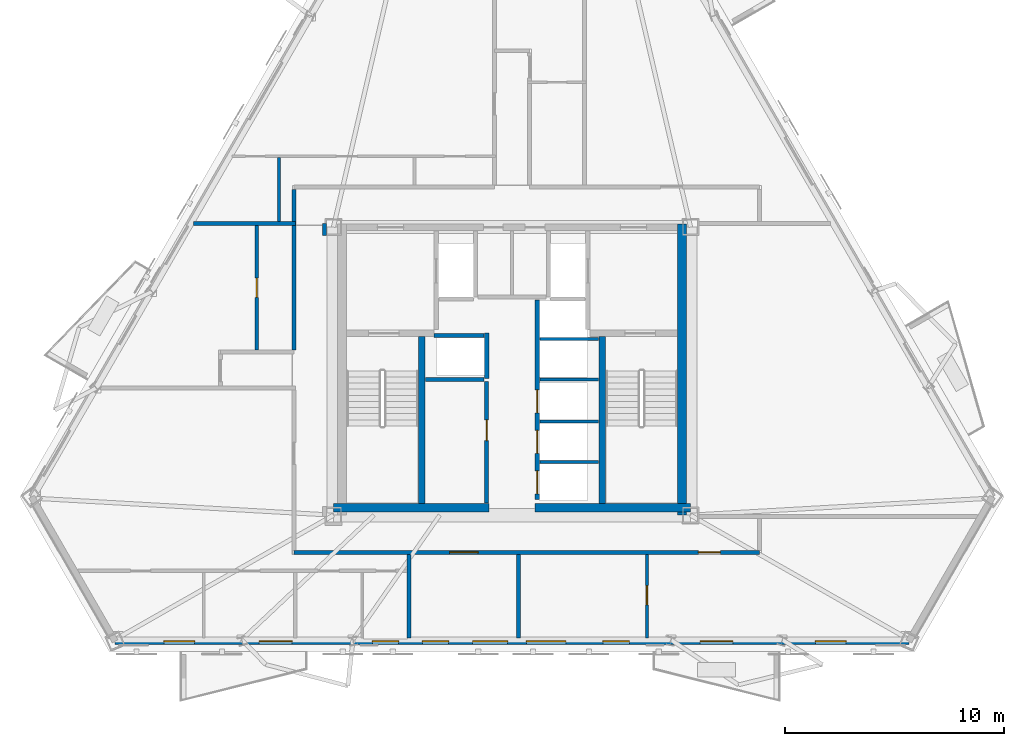
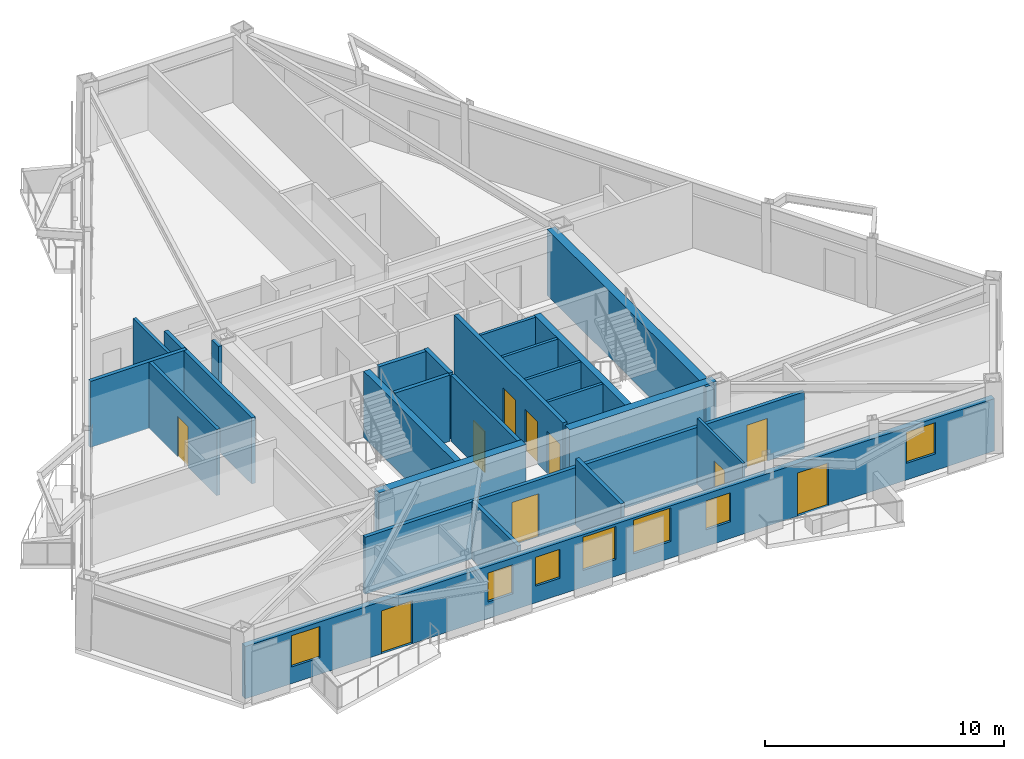
# One storey, part 3 of 8: 24 walls, 10 doors, 7 windows, 17 openings.
"""IFC4 building model written with IfcOpenShell, lengths in metres."""

from ifc_helpers import new_model, si_unit, direction, frame, frame_2d, origin, place, context, subcontext, project, spatial, rectangle, extrude, material, layer, layer_set, type_object, element, fill, save


model = new_model("IFC4")

# Units and contexts
model_context = context("Model", 3, precision=1e-05, world=origin(), true_north=direction((0.0, 1.0)))
body_context = subcontext(model_context, "Body", "Model", "MODEL_VIEW")
ifc_project = project(units=[si_unit("LENGTHUNIT", "METRE"), si_unit("AREAUNIT", "SQUARE_METRE"), si_unit("VOLUMEUNIT", "CUBIC_METRE"), si_unit("PLANEANGLEUNIT", "RADIAN"), si_unit("MASSUNIT", "GRAM", prefix="KILO")], contexts=[model_context])

# Site, building, storey
site_placement = place(None, origin())
site = spatial("IfcSite", under=ifc_project, at=site_placement, CompositionType="ELEMENT")
building_placement = place(site_placement, origin())
building = spatial("IfcBuilding", under=site, at=building_placement, Name="Oramaril Tower", CompositionType="ELEMENT")
storey_placement = place(building_placement, frame((0.0, 0.0, 193.800048828125)))
storey = spatial("IfcBuildingStorey", under=building, at=storey_placement, Name="L51", CompositionType="ELEMENT", Elevation=193.800048828125)

# Wall, openings, doors, windows
ifc_material_1 = material(Name="Warm Cream Limestone", Category="masonry")
ifc_layer_1 = layer(ifc_material_1, 0.2900390625)
ifc_layer_set_1 = layer_set([ifc_layer_1], Name="WT-EXT29")
wall_type_1 = type_object("IfcWallType", Name="WT-EXT29", PredefinedType="SOLIDWALL", material=ifc_layer_set_1)
wall_1_placement = place(storey_placement, frame((19.3828125, 5.24169921875, 0.0), z_axis=(0.0, 0.0, 1.0), x_axis=(1.0, 0.0, 0.0)))
wall_1 = element("IfcWall", 1, at=wall_1_placement, inside=storey, type_object=wall_type_1, Name="L51 Tower Limestone Facade Wall 2M", PredefinedType="SOLIDWALL", context=body_context, shape_type="SweptSolid", body=[
    extrude(rectangle(XDim=36.234375, YDim=0.2900390625, at=frame_2d((18.1171875, 0.0))), origin(), (0.0, 0.0, 1.0), 2.677001953125),
])
opening_1_placement = place(wall_1_placement, frame((6.579345703125, 0.0, 0.0)))
opening_1 = element("IfcOpeningElement", 2, at=opening_1_placement, cuts=wall_1, Name="Opening D-L51-BAL-S1", PredefinedType="OPENING", context=body_context, shape_type="SweptSolid", body=[
    extrude(rectangle(XDim=1.5, YDim=2.199951171875, at=frame_2d((0.75, 1.10009765625))), frame((0.0, 0.14501953125, 0.0), z_axis=(0.0, -1.0, 0.0), x_axis=(1.0, 0.0, 0.0)), (0.0, 0.0, 1.0), 0.2900390625),
])
opening_2_placement = place(wall_1_placement, frame((26.7001953125, 0.0, 0.0)))
opening_2 = element("IfcOpeningElement", 3, at=opening_2_placement, cuts=wall_1, Name="Opening D-L51-BAL-S2", PredefinedType="OPENING", context=body_context, shape_type="SweptSolid", body=[
    extrude(rectangle(XDim=1.5, YDim=2.199951171875, at=frame_2d((0.75, 1.10009765625))), frame((0.0, 0.14501953125, 0.0), z_axis=(0.0, -1.0, 0.0), x_axis=(1.0, 0.0, 0.0)), (0.0, 0.0, 1.0), 0.2900390625),
])
opening_3_placement = place(wall_1_placement, frame((14.02685546875, 0.0, 0.85009765625)))
opening_3 = element("IfcOpeningElement", 4, at=opening_3_placement, cuts=wall_1, Name="Opening WN-09", PredefinedType="OPENING", context=body_context, shape_type="SweptSolid", body=[
    extrude(rectangle(XDim=1.199951171875, YDim=1.47998046875, at=frame_2d((0.60009765625, 0.739990234375))), frame((0.0, 0.14501953125, 0.0), z_axis=(0.0, -1.0, 0.0), x_axis=(1.0, 0.0, 0.0)), (0.0, 0.0, 1.0), 0.2900390625),
])
opening_4_placement = place(wall_1_placement, frame((16.322509765625, 0.0, 0.85009765625)))
opening_4 = element("IfcOpeningElement", 5, at=opening_4_placement, cuts=wall_1, Name="Opening WN-07", PredefinedType="OPENING", context=body_context, shape_type="SweptSolid", body=[
    extrude(rectangle(XDim=1.60009765625, YDim=1.699951171875, at=frame_2d((0.800048828125, 0.85009765625))), frame((0.0, 0.14501953125, 0.0), z_axis=(0.0, -1.0, 0.0), x_axis=(1.0, 0.0, 0.0)), (0.0, 0.0, 1.0), 0.2900390625),
])
opening_5_placement = place(wall_1_placement, frame((31.970458984375, 0.0, 0.85009765625)))
opening_5 = element("IfcOpeningElement", 6, at=opening_5_placement, cuts=wall_1, Name="Opening WN-08", PredefinedType="OPENING", context=body_context, shape_type="SweptSolid", body=[
    extrude(rectangle(XDim=1.39990234375, YDim=1.60009765625, at=frame_2d((0.699951171875, 0.800048828125))), frame((0.0, 0.14501953125, 0.0), z_axis=(0.0, -1.0, 0.0), x_axis=(1.0, 0.0, 0.0)), (0.0, 0.0, 1.0), 0.2900390625),
])
opening_6_placement = place(wall_1_placement, frame((18.77783203125, 0.0, 0.85009765625)))
opening_6 = element("IfcOpeningElement", 7, at=opening_6_placement, cuts=wall_1, Name="Opening WN-06", PredefinedType="OPENING", context=body_context, shape_type="SweptSolid", body=[
    extrude(rectangle(XDim=1.800048828125, YDim=1.717041015625, at=frame_2d((0.89990234375, 0.8583984375))), frame((0.0, 0.14501953125, 0.0), z_axis=(0.0, -1.0, 0.0), x_axis=(1.0, 0.0, 0.0)), (0.0, 0.0, 1.0), 0.2900390625),
])
opening_7_placement = place(wall_1_placement, frame((22.269775390625, 0.0, 0.85009765625)))
opening_7 = element("IfcOpeningElement", 8, at=opening_7_placement, cuts=wall_1, Name="Opening WN-09", PredefinedType="OPENING", context=body_context, shape_type="SweptSolid", body=[
    extrude(rectangle(XDim=1.199951171875, YDim=1.47998046875, at=frame_2d((0.60009765625, 0.739990234375))), frame((0.0, 0.14501953125, 0.0), z_axis=(0.0, -1.0, 0.0), x_axis=(1.0, 0.0, 0.0)), (0.0, 0.0, 1.0), 0.2900390625),
])
opening_8_placement = place(wall_1_placement, frame((2.225341796875, 0.0, 0.85009765625)))
opening_8 = element("IfcOpeningElement", 9, at=opening_8_placement, cuts=wall_1, Name="Opening WN-08", PredefinedType="OPENING", context=body_context, shape_type="SweptSolid", body=[
    extrude(rectangle(XDim=1.39990234375, YDim=1.60009765625, at=frame_2d((0.699951171875, 0.800048828125))), frame((0.0, 0.14501953125, 0.0), z_axis=(0.0, -1.0, 0.0), x_axis=(1.0, 0.0, 0.0)), (0.0, 0.0, 1.0), 0.2900390625),
])
opening_9_placement = place(wall_1_placement, frame((11.744873046875, 0.0, 0.85009765625)))
opening_9 = element("IfcOpeningElement", 10, at=opening_9_placement, cuts=wall_1, Name="Opening WN-09", PredefinedType="OPENING", context=body_context, shape_type="SweptSolid", body=[
    extrude(rectangle(XDim=1.199951171875, YDim=1.47998046875, at=frame_2d((0.60009765625, 0.739990234375))), frame((0.0, 0.14501953125, 0.0), z_axis=(0.0, -1.0, 0.0), x_axis=(1.0, 0.0, 0.0)), (0.0, 0.0, 1.0), 0.2900390625),
])
ifc_material_2 = material(Name="Anodised Aluminium 6063-T6", Category="aluminium")
door_type_1 = type_object("IfcDoorType", Name="DT-BAL", OperationType="NOTDEFINED", PredefinedType="DOOR", material=ifc_material_2)
door_1_placement = place(opening_1_placement, origin())
door_1 = element("IfcDoor", 11, at=door_1_placement, inside=storey, type_object=door_type_1, Name="L51 Balcony Glazed Door L51-BAL-S1", OperationType="SINGLE_SWING_RIGHT", OverallHeight=2.199951171875, OverallWidth=1.5, PredefinedType="DOOR", context=body_context, shape_type="SweptSolid", body=[
    extrude(rectangle(XDim=1.5, YDim=2.199951171875, at=frame_2d((0.75, 1.10009765625))), frame((0.0, 0.02490234375, 0.0), z_axis=(0.0, -1.0, 0.0), x_axis=(1.0, 0.0, 0.0)), (0.0, 0.0, 1.0), 0.050048828125),
])
fill(opening_1, door_1)
door_2_placement = place(opening_2_placement, origin())
door_2 = element("IfcDoor", 12, at=door_2_placement, inside=storey, type_object=door_type_1, Name="L51 Balcony Glazed Door L51-BAL-S2", OperationType="SINGLE_SWING_LEFT", OverallHeight=2.199951171875, OverallWidth=1.5, PredefinedType="DOOR", context=body_context, shape_type="SweptSolid", body=[
    extrude(rectangle(XDim=1.5, YDim=2.199951171875, at=frame_2d((0.75, 1.10009765625))), frame((0.0, 0.02490234375, 0.0), z_axis=(0.0, -1.0, 0.0), x_axis=(1.0, 0.0, 0.0)), (0.0, 0.0, 1.0), 0.050048828125),
])
fill(opening_2, door_2)
ifc_material_3 = material(Name="Coastal Low-E Insulated Glass", Category="glass")
window_type_1 = type_object("IfcWindowType", Name="WNT-06", PartitioningType="SINGLE_PANEL", PredefinedType="WINDOW", material=ifc_material_3)
window_1_placement = place(opening_6_placement, origin())
window_1 = element("IfcWindow", 13, at=window_1_placement, inside=storey, type_object=window_type_1, Name="L51 Chicago Bay Window WN-06", OverallHeight=1.717041015625, OverallWidth=1.800048828125, PartitioningType="SINGLE_PANEL", PredefinedType="WINDOW", context=body_context, shape_type="SweptSolid", body=[
    extrude(rectangle(XDim=1.800048828125, YDim=1.717041015625, at=frame_2d((0.89990234375, 0.8583984375))), frame((0.0, 0.030029296875, 0.0), z_axis=(0.0, -1.0, 0.0), x_axis=(1.0, 0.0, 0.0)), (0.0, 0.0, 1.0), 0.06005859375),
])
fill(opening_6, window_1)
ifc_material_4 = material(Name="Coastal Low-E Insulated Glass", Category="glass")
window_type_2 = type_object("IfcWindowType", Name="WNT-07", PartitioningType="SINGLE_PANEL", PredefinedType="WINDOW", material=ifc_material_4)
window_2_placement = place(opening_4_placement, origin())
window_2 = element("IfcWindow", 14, at=window_2_placement, inside=storey, type_object=window_type_2, Name="L51 Chicago Bay Window WN-07", OverallHeight=1.699951171875, OverallWidth=1.60009765625, PartitioningType="SINGLE_PANEL", PredefinedType="WINDOW", context=body_context, shape_type="SweptSolid", body=[
    extrude(rectangle(XDim=1.60009765625, YDim=1.699951171875, at=frame_2d((0.800048828125, 0.85009765625))), frame((0.0, 0.030029296875, 0.0), z_axis=(0.0, -1.0, 0.0), x_axis=(1.0, 0.0, 0.0)), (0.0, 0.0, 1.0), 0.06005859375),
])
fill(opening_4, window_2)
ifc_material_5 = material(Name="Coastal Low-E Insulated Glass", Category="glass")
window_type_3 = type_object("IfcWindowType", Name="WNT-08", PartitioningType="SINGLE_PANEL", PredefinedType="WINDOW", material=ifc_material_5)
window_3_placement = place(opening_5_placement, origin())
window_3 = element("IfcWindow", 15, at=window_3_placement, inside=storey, type_object=window_type_3, Name="L51 Chicago Bay Window WN-08", OverallHeight=1.60009765625, OverallWidth=1.39990234375, PartitioningType="SINGLE_PANEL", PredefinedType="WINDOW", context=body_context, shape_type="SweptSolid", body=[
    extrude(rectangle(XDim=1.39990234375, YDim=1.60009765625, at=frame_2d((0.699951171875, 0.800048828125))), frame((0.0, 0.030029296875, 0.0), z_axis=(0.0, -1.0, 0.0), x_axis=(1.0, 0.0, 0.0)), (0.0, 0.0, 1.0), 0.06005859375),
])
fill(opening_5, window_3)
window_4_placement = place(opening_8_placement, origin())
window_4 = element("IfcWindow", 16, at=window_4_placement, inside=storey, type_object=window_type_3, Name="L51 Chicago Bay Window WN-08", OverallHeight=1.60009765625, OverallWidth=1.39990234375, PartitioningType="SINGLE_PANEL", PredefinedType="WINDOW", context=body_context, shape_type="SweptSolid", body=[
    extrude(rectangle(XDim=1.39990234375, YDim=1.60009765625, at=frame_2d((0.699951171875, 0.800048828125))), frame((0.0, 0.030029296875, 0.0), z_axis=(0.0, -1.0, 0.0), x_axis=(1.0, 0.0, 0.0)), (0.0, 0.0, 1.0), 0.06005859375),
])
fill(opening_8, window_4)
ifc_material_6 = material(Name="Coastal Low-E Insulated Glass", Category="glass")
window_type_4 = type_object("IfcWindowType", Name="WNT-09", PartitioningType="SINGLE_PANEL", PredefinedType="WINDOW", material=ifc_material_6)
window_5_placement = place(opening_3_placement, origin())
window_5 = element("IfcWindow", 17, at=window_5_placement, inside=storey, type_object=window_type_4, Name="L51 Chicago Bay Window WN-09", OverallHeight=1.47998046875, OverallWidth=1.199951171875, PartitioningType="SINGLE_PANEL", PredefinedType="WINDOW", context=body_context, shape_type="SweptSolid", body=[
    extrude(rectangle(XDim=1.199951171875, YDim=1.47998046875, at=frame_2d((0.60009765625, 0.739990234375))), frame((0.0, 0.030029296875, 0.0), z_axis=(0.0, -1.0, 0.0), x_axis=(1.0, 0.0, 0.0)), (0.0, 0.0, 1.0), 0.06005859375),
])
fill(opening_3, window_5)
window_6_placement = place(opening_7_placement, origin())
window_6 = element("IfcWindow", 18, at=window_6_placement, inside=storey, type_object=window_type_4, Name="L51 Chicago Bay Window WN-09", OverallHeight=1.47998046875, OverallWidth=1.199951171875, PartitioningType="SINGLE_PANEL", PredefinedType="WINDOW", context=body_context, shape_type="SweptSolid", body=[
    extrude(rectangle(XDim=1.199951171875, YDim=1.47998046875, at=frame_2d((0.60009765625, 0.739990234375))), frame((0.0, 0.030029296875, 0.0), z_axis=(0.0, -1.0, 0.0), x_axis=(1.0, 0.0, 0.0)), (0.0, 0.0, 1.0), 0.06005859375),
])
fill(opening_7, window_6)
window_7_placement = place(opening_9_placement, origin())
window_7 = element("IfcWindow", 19, at=window_7_placement, inside=storey, type_object=window_type_4, Name="L51 Chicago Bay Window WN-09", OverallHeight=1.47998046875, OverallWidth=1.199951171875, PartitioningType="SINGLE_PANEL", PredefinedType="WINDOW", context=body_context, shape_type="SweptSolid", body=[
    extrude(rectangle(XDim=1.199951171875, YDim=1.47998046875, at=frame_2d((0.60009765625, 0.739990234375))), frame((0.0, 0.030029296875, 0.0), z_axis=(0.0, -1.0, 0.0), x_axis=(1.0, 0.0, 0.0)), (0.0, 0.0, 1.0), 0.06005859375),
])
fill(opening_9, window_7)

# Wall, opening, door
ifc_material_7 = material(Name="Acoustic Gypsum Board Partition")
ifc_layer_2 = layer(ifc_material_7, 0.1201171875)
ifc_layer_set_2 = layer_set([ifc_layer_2], Name="WT-PT12")
wall_type_2 = type_object("IfcWallType", Name="WT-PT12", PredefinedType="PARTITIONING", material=ifc_layer_set_2)
wall_2_placement = place(storey_placement, frame((43.659912109375, 5.390625, 0.0), z_axis=(0.0, 0.0, 1.0), x_axis=(0.0, 1.0, 0.0)))
wall_2 = element("IfcWall", 20, at=wall_2_placement, inside=storey, type_object=wall_type_2, Name="L51 Interior Partition PT-12", PredefinedType="PARTITIONING", context=body_context, shape_type="SweptSolid", body=[
    extrude(rectangle(XDim=3.8154296875, YDim=0.1201171875, at=frame_2d((1.90771484375, 0.0))), origin(), (0.0, 0.0, 1.0), 3.3798828125),
])
opening_10_placement = place(wall_2_placement, frame((1.51513671875, 0.0, 0.0)))
opening_10 = element("IfcOpeningElement", 21, at=opening_10_placement, cuts=wall_2, Name="Opening D-L51-18", PredefinedType="OPENING", context=body_context, shape_type="SweptSolid", body=[
    extrude(rectangle(XDim=0.8798828125, YDim=2.080078125, at=frame_2d((0.43994140625, 1.0400390625))), frame((0.0, 0.06005859375, 0.0), z_axis=(0.0, -1.0, 0.0), x_axis=(1.0, 0.0, 0.0)), (0.0, 0.0, 1.0), 0.1201171875),
])
ifc_material_8 = material(Name="FSC Brazilian Freijo Hardwood", Category="wood")
door_type_2 = type_object("IfcDoorType", Name="DT-BATH", OperationType="NOTDEFINED", PredefinedType="DOOR", material=ifc_material_8)
door_3_placement = place(opening_10_placement, origin())
door_3 = element("IfcDoor", 22, at=door_3_placement, inside=storey, type_object=door_type_2, Name="L51 Flat L51-U1 Bathroom Door D-L51-18", OperationType="SINGLE_SWING_RIGHT", OverallHeight=2.080078125, OverallWidth=0.8798828125, PredefinedType="DOOR", context=body_context, shape_type="SweptSolid", body=[
    extrude(rectangle(XDim=0.8798828125, YDim=2.080078125, at=frame_2d((0.43994140625, 1.0400390625))), frame((0.0, 0.02490234375, 0.0), z_axis=(0.0, -1.0, 0.0), x_axis=(1.0, 0.0, 0.0)), (0.0, 0.0, 1.0), 0.050048828125),
])
fill(opening_10, door_3)

# Walls
ifc_material_9 = material(Name="Acoustic Gypsum Board Partition")
ifc_layer_3 = layer(ifc_material_9, 0.139892578125)
ifc_layer_set_3 = layer_set([ifc_layer_3], Name="WT-PT14")
wall_type_3 = type_object("IfcWallType", Name="WT-PT14", PredefinedType="PARTITIONING", material=ifc_layer_set_3)
for number, where, z_axis, x_axis, name in (
    (23, (38.780029296875, 13.419921875, 0.0), (0.0, 0.0, 1.0), (1.0, 0.0, 0.0), "L51 East Lift Divider"),
    (24, (38.780029296875, 15.27001953125, 0.0), (0.0, 0.0, 1.0), (1.0, 0.0, 0.0), "L51 East Lift Divider"),
    (25, (38.780029296875, 17.199951171875, 0.0), (0.0, 0.0, 1.0), (1.0, 0.0, 0.0), "L51 East Lift Divider"),
    (26, (38.780029296875, 19.050048828125, 0.0), (0.0, 0.0, 1.0), (1.0, 0.0, 0.0), "L51 East Lift Divider"),
):
    element("IfcWall", number, at=place(storey_placement, frame(where, z_axis=z_axis, x_axis=x_axis)), inside=storey, type_object=wall_type_3, Name=name, PredefinedType="PARTITIONING", context=body_context, shape_type="SweptSolid", body=[
        extrude(rectangle(XDim=2.659912109375, YDim=0.139892578125, at=frame_2d((1.330078125, 0.0))), origin(), (0.0, 0.0, 1.0), 3.3798828125),
    ])
wall_3_placement = place(storey_placement, frame((26.8701171875, 24.4140625, 0.0), z_axis=(0.0, 0.0, 1.0), x_axis=(0.0, 1.0, 0.0)))
element("IfcWall", 27, at=wall_3_placement, inside=storey, type_object=wall_type_3, Name="L51 Interior Partition PT-14", PredefinedType="PARTITIONING", context=body_context, shape_type="SweptSolid", body=[
    extrude(rectangle(XDim=2.911865234375, YDim=0.139892578125, at=frame_2d((1.4560546875, 0.0))), origin(), (0.0, 0.0, 1.0), 3.3798828125),
])

# Wall, opening, door
ifc_material_10 = material(Name="Acoustic Gypsum Board Partition")
ifc_layer_4 = layer(ifc_material_10, 0.159912109375)
ifc_layer_set_4 = layer_set([ifc_layer_4], Name="WT-PT16")
wall_type_4 = type_object("IfcWallType", Name="WT-PT16", PredefinedType="PARTITIONING", material=ifc_layer_set_4)
wall_4_placement = place(storey_placement, frame((25.85009765625, 18.5439453125, 0.0), z_axis=(0.0, 0.0, 1.0), x_axis=(0.0, 1.0, 0.0)))
wall_4 = element("IfcWall", 28, at=wall_4_placement, inside=storey, type_object=wall_type_4, Name="L51 Interior Partition PT-16", PredefinedType="PARTITIONING", context=body_context, shape_type="SweptSolid", body=[
    extrude(rectangle(XDim=5.68212890625, YDim=0.159912109375, at=frame_2d((2.841064453125, 0.0))), origin(), (0.0, 0.0, 1.0), 3.3798828125),
])
opening_11_placement = place(wall_4_placement, frame((2.40087890625, 0.0, 0.0)))
opening_11 = element("IfcOpeningElement", 29, at=opening_11_placement, cuts=wall_4, Name="Opening D-L51-14", PredefinedType="OPENING", context=body_context, shape_type="SweptSolid", body=[
    extrude(rectangle(XDim=0.8798828125, YDim=2.080078125, at=frame_2d((0.43994140625, 1.0400390625))), frame((0.0, 0.080078125, 0.0), z_axis=(0.0, -1.0, 0.0), x_axis=(1.0, 0.0, 0.0)), (0.0, 0.0, 1.0), 0.159912109375),
])
door_4_placement = place(opening_11_placement, origin())
door_4 = element("IfcDoor", 30, at=door_4_placement, inside=storey, type_object=door_type_2, Name="L51 Flat L51-U3 Bathroom Door D-L51-14", OperationType="SINGLE_SWING_RIGHT", OverallHeight=2.080078125, OverallWidth=0.8798828125, PredefinedType="DOOR", context=body_context, shape_type="SweptSolid", body=[
    extrude(rectangle(XDim=0.8798828125, YDim=2.080078125, at=frame_2d((0.43994140625, 1.0400390625))), frame((0.0, 0.02490234375, 0.0), z_axis=(0.0, -1.0, 0.0), x_axis=(1.0, 0.0, 0.0)), (0.0, 0.0, 1.0), 0.050048828125),
])
fill(opening_11, door_4)

# Walls
ifc_material_11 = material(Name="Autoclaved Cellular Concrete Block", Category="concrete")
ifc_layer_5 = layer(ifc_material_11, 0.179931640625)
ifc_layer_set_5 = layer_set([ifc_layer_5], Name="WT-PT18")
wall_type_5 = type_object("IfcWallType", Name="WT-PT18", PredefinedType="PARTITIONING", material=ifc_layer_set_5)
wall_5_placement = place(storey_placement, frame((33.949951171875, 19.199951171875, 0.0), z_axis=(0.0, 0.0, 1.0), x_axis=(1.0, 0.0, 0.0)))
element("IfcWall", 31, at=wall_5_placement, inside=storey, type_object=wall_type_5, Name="L51 High-Rise Lift H1 North Shaft Wall", PredefinedType="PARTITIONING", context=body_context, shape_type="SweptSolid", body=[
    extrude(rectangle(XDim=2.27001953125, YDim=0.179931640625, at=frame_2d((1.135009765625, 0.0))), origin(), (0.0, 0.0, 1.0), 3.3798828125),
])
wall_6_placement = place(storey_placement, frame((33.56005859375, 17.199951171875, 0.0), z_axis=(0.0, 0.0, 1.0), x_axis=(1.0, 0.0, 0.0)))
element("IfcWall", 32, at=wall_6_placement, inside=storey, type_object=wall_type_5, Name="L51 High-Rise Lift H1 South Wall", PredefinedType="PARTITIONING", context=body_context, shape_type="SweptSolid", body=[
    extrude(rectangle(XDim=2.659912109375, YDim=0.179931640625, at=frame_2d((1.330078125, 0.0))), origin(), (0.0, 0.0, 1.0), 3.3798828125),
])

# Wall, opening, door
wall_7_placement = place(storey_placement, frame((36.340087890625, 11.550048828125, 0.0), z_axis=(0.0, 0.0, 1.0), x_axis=(0.0, 1.0, 0.0)))
wall_7 = element("IfcWall", 33, at=wall_7_placement, inside=storey, type_object=wall_type_5, Name="L51 Freed Shaft Study East Wall", PredefinedType="PARTITIONING", context=body_context, shape_type="SweptSolid", body=[
    extrude(rectangle(XDim=5.550048828125, YDim=0.179931640625, at=frame_2d((2.77490234375, 0.0))), origin(), (0.0, 0.0, 1.0), 3.3798828125),
])
opening_12_placement = place(wall_7_placement, frame((2.85009765625, 0.0, 0.0)))
opening_12 = element("IfcOpeningElement", 34, at=opening_12_placement, cuts=wall_7, Name="Opening D-L51-FL1", PredefinedType="OPENING", context=body_context, shape_type="SweptSolid", body=[
    extrude(rectangle(XDim=0.949951171875, YDim=2.10009765625, at=frame_2d((0.47509765625, 1.050048828125))), frame((0.0, 0.08984375, 0.0), z_axis=(0.0, -1.0, 0.0), x_axis=(1.0, 0.0, 0.0)), (0.0, 0.0, 1.0), 0.179931640625),
])
ifc_material_12 = material(Name="FSC Brazilian Freijo Hardwood", Category="wood")
door_type_3 = type_object("IfcDoorType", Name="DT-STDY", OperationType="NOTDEFINED", PredefinedType="DOOR", material=ifc_material_12)
door_5_placement = place(opening_12_placement, origin())
door_5 = element("IfcDoor", 35, at=door_5_placement, inside=storey, type_object=door_type_3, Name="L51 L51 Residents Study Alcove Door", OperationType="SINGLE_SWING_LEFT", OverallHeight=2.10009765625, OverallWidth=0.949951171875, PredefinedType="DOOR", context=body_context, shape_type="SweptSolid", body=[
    extrude(rectangle(XDim=0.949951171875, YDim=2.10009765625, at=frame_2d((0.47509765625, 1.050048828125))), frame((0.0, 0.02490234375, 0.0), z_axis=(0.0, -1.0, 0.0), x_axis=(1.0, 0.0, 0.0)), (0.0, 0.0, 1.0), 0.050048828125),
])
fill(opening_12, door_5)

# Wall, openings, doors
wall_8_placement = place(storey_placement, frame((27.550048828125, 9.300048828125, 0.0), z_axis=(0.0, 0.0, 1.0), x_axis=(1.0, 0.0, 0.0)))
wall_8 = element("IfcWall", 36, at=wall_8_placement, inside=storey, type_object=wall_type_5, Name="L51 Interior Partition PT-18", PredefinedType="PARTITIONING", context=body_context, shape_type="SweptSolid", body=[
    extrude(rectangle(XDim=21.25, YDim=0.179931640625, at=frame_2d((10.625, 0.0))), origin(), (0.0, 0.0, 1.0), 2.912841796875),
])
opening_13_placement = place(wall_8_placement, frame((7.10009765625, 0.0, 0.0)))
opening_13 = element("IfcOpeningElement", 37, at=opening_13_placement, cuts=wall_8, Name="Opening D-L51-05", PredefinedType="OPENING", context=body_context, shape_type="SweptSolid", body=[
    extrude(rectangle(XDim=1.300048828125, YDim=2.199951171875, at=frame_2d((0.64990234375, 1.10009765625))), frame((0.0, 0.08984375, 0.0), z_axis=(0.0, -1.0, 0.0), x_axis=(1.0, 0.0, 0.0)), (0.0, 0.0, 1.0), 0.179931640625),
])
opening_14_placement = place(wall_8_placement, frame((18.46044921875, 0.0, 0.0)))
opening_14 = element("IfcOpeningElement", 38, at=opening_14_placement, cuts=wall_8, Name="Opening D-L51-06", PredefinedType="OPENING", context=body_context, shape_type="SweptSolid", body=[
    extrude(rectangle(XDim=1.0, YDim=2.179931640625, at=frame_2d((0.5, 1.08984375))), frame((0.0, 0.08984375, 0.0), z_axis=(0.0, -1.0, 0.0), x_axis=(1.0, 0.0, 0.0)), (0.0, 0.0, 1.0), 0.179931640625),
])
ifc_material_13 = material(Name="FSC Brazilian Freijo Hardwood", Category="wood")
door_type_4 = type_object("IfcDoorType", Name="DT-APT", OperationType="NOTDEFINED", PredefinedType="DOOR", material=ifc_material_13)
door_6_placement = place(opening_14_placement, origin())
door_6 = element("IfcDoor", 39, at=door_6_placement, inside=storey, type_object=door_type_4, Name="L51 Flat L51-U1 Kitchen and Studio Apartment Door D-L51-06", OperationType="SINGLE_SWING_RIGHT", OverallHeight=2.179931640625, OverallWidth=1.0, PredefinedType="DOOR", context=body_context, shape_type="SweptSolid", body=[
    extrude(rectangle(XDim=1.0, YDim=2.179931640625, at=frame_2d((0.5, 1.08984375))), frame((0.0, 0.02490234375, 0.0), z_axis=(0.0, -1.0, 0.0), x_axis=(1.0, 0.0, 0.0)), (0.0, 0.0, 1.0), 0.050048828125),
])
fill(opening_14, door_6)
ifc_material_14 = material(Name="FSC Brazilian Freijo Hardwood", Category="wood")
door_type_5 = type_object("IfcDoorType", Name="DT-COM", OperationType="NOTDEFINED", PredefinedType="DOOR", material=ifc_material_14)
door_7_placement = place(opening_13_placement, origin())
door_7 = element("IfcDoor", 40, at=door_7_placement, inside=storey, type_object=door_type_5, Name="L51 L51 Residents Floor Meeting Suite Door D-L51-05", OperationType="SINGLE_SWING_LEFT", OverallHeight=2.199951171875, OverallWidth=1.300048828125, PredefinedType="DOOR", context=body_context, shape_type="SweptSolid", body=[
    extrude(rectangle(XDim=1.300048828125, YDim=2.199951171875, at=frame_2d((0.64990234375, 1.10009765625))), frame((0.0, 0.02490234375, 0.0), z_axis=(0.0, -1.0, 0.0), x_axis=(1.0, 0.0, 0.0)), (0.0, 0.0, 1.0), 0.050048828125),
])
fill(opening_13, door_7)

# Walls
wall_9_placement = place(storey_placement, frame((22.95166015625, 24.320068359375, 0.0), z_axis=(0.0, 0.0, 1.0), x_axis=(1.0, 0.0, 0.0)))
element("IfcWall", 41, at=wall_9_placement, inside=storey, type_object=wall_type_5, Name="L51 Interior Partition PT-18", PredefinedType="PARTITIONING", context=body_context, shape_type="SweptSolid", body=[
    extrude(rectangle(XDim=4.658447265625, YDim=0.179931640625, at=frame_2d((2.3291015625, 0.0))), origin(), (0.0, 0.0, 1.0), 3.3798828125),
])
wall_10_placement = place(storey_placement, frame((27.550048828125, 18.5439453125, 0.0), z_axis=(0.0, 0.0, 1.0), x_axis=(0.0, 1.0, 0.0)))
element("IfcWall", 42, at=wall_10_placement, inside=storey, type_object=wall_type_5, Name="L51 Interior Partition PT-18", PredefinedType="PARTITIONING", context=body_context, shape_type="SweptSolid", body=[
    extrude(rectangle(XDim=7.33203125, YDim=0.179931640625, at=frame_2d((3.666015625, 0.0))), origin(), (0.0, 0.0, 1.0), 3.3798828125),
])
wall_11_placement = place(storey_placement, frame((28.949951171875, 23.7548828125, 0.0), z_axis=(0.0, 0.0, 1.0), x_axis=(0.0, 1.0, 0.0)))
element("IfcWall", 43, at=wall_11_placement, inside=storey, type_object=wall_type_5, Name="L51 Interior Partition PT-18", PredefinedType="PARTITIONING", context=body_context, shape_type="SweptSolid", body=[
    extrude(rectangle(XDim=0.565185546875, YDim=0.179931640625, at=frame_2d((0.28271484375, 0.0))), origin(), (0.0, 0.0, 1.0), 3.3798828125),
])
wall_12_placement = place(storey_placement, frame((32.800048828125, 5.390625, 0.0), z_axis=(0.0, 0.0, 1.0), x_axis=(0.0, 1.0, 0.0)))
element("IfcWall", 44, at=wall_12_placement, inside=storey, type_object=wall_type_5, Name="L51 Interior Partition PT-18", PredefinedType="PARTITIONING", context=body_context, shape_type="SweptSolid", body=[
    extrude(rectangle(XDim=3.8154296875, YDim=0.179931640625, at=frame_2d((1.90771484375, 0.0))), origin(), (0.0, 0.0, 1.0), 2.966064453125),
])
wall_13_placement = place(storey_placement, frame((37.800048828125, 5.390625, 0.0), z_axis=(0.0, 0.0, 1.0), x_axis=(0.0, 1.0, 0.0)))
element("IfcWall", 45, at=wall_13_placement, inside=storey, type_object=wall_type_5, Name="L51 Interior Partition PT-18", PredefinedType="PARTITIONING", context=body_context, shape_type="SweptSolid", body=[
    extrude(rectangle(XDim=3.8154296875, YDim=0.179931640625, at=frame_2d((1.90771484375, 0.0))), origin(), (0.0, 0.0, 1.0), 3.3798828125),
])
ifc_material_15 = material(Name="Concrete C50/60", Category="concrete")
ifc_layer_6 = layer(ifc_material_15, 0.300048828125)
ifc_layer_set_6 = layer_set([ifc_layer_6], Name="WT-SH30")
wall_type_6 = type_object("IfcWallType", Name="WT-SH30", PredefinedType="SHEAR", material=ifc_layer_set_6)
for number, where, z_axis, x_axis, name in (
    (46, (33.3798828125, 11.5400390625, 0.0), (0.0, 0.0, 1.0), (0.0, 1.0, 0.0), "L51 Core Shear Wall CW-ST1E"),
    (47, (41.6201171875, 11.5400390625, 0.0), (0.0, 0.0, 1.0), (0.0, 1.0, 0.0), "L51 Core Shear Wall CW-ST2W"),
):
    element("IfcWall", number, at=place(storey_placement, frame(where, z_axis=z_axis, x_axis=x_axis)), inside=storey, type_object=wall_type_6, Name=name, PredefinedType="SHEAR", context=body_context, shape_type="SweptSolid", body=[
        extrude(rectangle(XDim=7.619873046875, YDim=0.300048828125, at=frame_2d((3.81005859375, 0.0))), origin(), (0.0, 0.0, 1.0), 3.3798828125),
    ])
ifc_material_16 = material(Name="Concrete C50/60", Category="concrete")
ifc_layer_7 = layer(ifc_material_16, 0.39990234375)
ifc_layer_set_7 = layer_set([ifc_layer_7], Name="WT-SH40")
wall_type_7 = type_object("IfcWallType", Name="WT-SH40", PredefinedType="SHEAR", material=ifc_layer_set_7)
wall_14_placement = place(storey_placement, frame((45.260009765625, 11.0, 0.0), z_axis=(0.0, 0.0, 1.0), x_axis=(0.0, 1.0, 0.0)))
element("IfcWall", 48, at=wall_14_placement, inside=storey, type_object=wall_type_7, Name="L51 Core Shear Wall CW-E", PredefinedType="SHEAR", context=body_context, shape_type="SweptSolid", body=[
    extrude(rectangle(XDim=13.300048828125, YDim=0.39990234375, at=frame_2d((6.64990234375, 0.0))), origin(), (0.0, 0.0, 1.0), 3.3798828125),
])
for number, where, z_axis, x_axis, name in (
    (49, (29.35009765625, 11.340087890625, 0.0), (0.0, 0.0, 1.0), (1.0, 0.0, 0.0), "L51 Core Shear Wall CW-SW"),
    (50, (38.550048828125, 11.340087890625, 0.0), (0.0, 0.0, 1.0), (1.0, 0.0, 0.0), "L51 Core Shear Wall CW-SE"),
):
    element("IfcWall", number, at=place(storey_placement, frame(where, z_axis=z_axis, x_axis=x_axis)), inside=storey, type_object=wall_type_7, Name=name, PredefinedType="SHEAR", context=body_context, shape_type="SweptSolid", body=[
        extrude(rectangle(XDim=7.099853515625, YDim=0.39990234375, at=frame_2d((3.5498046875, 0.0))), origin(), (0.0, 0.0, 1.0), 3.3798828125),
    ])
ifc_material_17 = material(Name="Autoclaved Cellular Concrete Block", Category="concrete")
ifc_layer_8 = layer(ifc_material_17, 0.199951171875)
ifc_layer_set_8 = layer_set([ifc_layer_8], Name="WT-SHF20")
wall_type_8 = type_object("IfcWallType", Name="WT-SHF20", PredefinedType="PARTITIONING", material=ifc_layer_set_8)
wall_15_placement = place(storey_placement, frame((36.340087890625, 17.25, 0.0), z_axis=(0.0, 0.0, 1.0), x_axis=(0.0, 1.0, 0.0)))
element("IfcWall", 51, at=wall_15_placement, inside=storey, type_object=wall_type_8, Name="L51 High-Rise Lift H1 Front Wall", PredefinedType="PARTITIONING", context=body_context, shape_type="SweptSolid", body=[
    extrude(rectangle(XDim=2.070068359375, YDim=0.199951171875, at=frame_2d((1.03515625, 0.0))), origin(), (0.0, 0.0, 1.0), 3.3798828125),
])

# Wall, openings, doors
wall_16_placement = place(storey_placement, frame((38.659912109375, 11.719970703125, 0.0), z_axis=(0.0, 0.0, 1.0), x_axis=(0.0, 1.0, 0.0)))
wall_16 = element("IfcWall", 52, at=wall_16_placement, inside=storey, type_object=wall_type_8, Name="L51 East Lift Bank Front Wall", PredefinedType="PARTITIONING", context=body_context, shape_type="SweptSolid", body=[
    extrude(rectangle(XDim=9.10009765625, YDim=0.199951171875, at=frame_2d((4.550048828125, 0.0))), origin(), (0.0, 0.0, 1.0), 3.3798828125),
])
opening_15_placement = place(wall_16_placement, frame((0.2548828125, 0.0, 0.0)))
opening_15 = element("IfcOpeningElement", 53, at=opening_15_placement, cuts=wall_16, Name="Opening LD-L51-LP-M1", PredefinedType="OPENING", context=body_context, shape_type="SweptSolid", body=[
    extrude(rectangle(XDim=1.050048828125, YDim=2.14990234375, at=frame_2d((0.52490234375, 1.074951171875))), frame((0.0, 0.10009765625, 0.0), z_axis=(0.0, -1.0, 0.0), x_axis=(1.0, 0.0, 0.0)), (0.0, 0.0, 1.0), 0.199951171875),
])
opening_16_placement = place(wall_16_placement, frame((2.10498046875, 0.0, 0.0)))
opening_16 = element("IfcOpeningElement", 54, at=opening_16_placement, cuts=wall_16, Name="Opening LD-L51-LP-M2", PredefinedType="OPENING", context=body_context, shape_type="SweptSolid", body=[
    extrude(rectangle(XDim=1.050048828125, YDim=2.14990234375, at=frame_2d((0.52490234375, 1.074951171875))), frame((0.0, 0.10009765625, 0.0), z_axis=(0.0, -1.0, 0.0), x_axis=(1.0, 0.0, 0.0)), (0.0, 0.0, 1.0), 0.199951171875),
])
opening_17_placement = place(wall_16_placement, frame((3.955078125, 0.0, 0.0)))
opening_17 = element("IfcOpeningElement", 55, at=opening_17_placement, cuts=wall_16, Name="Opening LD-L51-LP-M3", PredefinedType="OPENING", context=body_context, shape_type="SweptSolid", body=[
    extrude(rectangle(XDim=1.050048828125, YDim=2.14990234375, at=frame_2d((0.52490234375, 1.074951171875))), frame((0.0, 0.10009765625, 0.0), z_axis=(0.0, -1.0, 0.0), x_axis=(1.0, 0.0, 0.0)), (0.0, 0.0, 1.0), 0.199951171875),
])
ifc_material_18 = material(Name="Stainless Steel 316L", Category="steel")
door_type_6 = type_object("IfcDoorType", Name="DT-LD2", OperationType="NOTDEFINED", PredefinedType="DOOR", material=ifc_material_18)
door_8_placement = place(opening_15_placement, origin())
door_8 = element("IfcDoor", 56, at=door_8_placement, inside=storey, type_object=door_type_6, Name="L51 Lift LP-M1 Sliding Landing Door", OperationType="SLIDING_TO_RIGHT", OverallHeight=2.14990234375, OverallWidth=1.050048828125, PredefinedType="DOOR", context=body_context, shape_type="SweptSolid", body=[
    extrude(rectangle(XDim=1.050048828125, YDim=2.14990234375, at=frame_2d((0.52490234375, 1.074951171875))), frame((0.0, 0.02490234375, 0.0), z_axis=(0.0, -1.0, 0.0), x_axis=(1.0, 0.0, 0.0)), (0.0, 0.0, 1.0), 0.050048828125),
])
fill(opening_15, door_8)
door_9_placement = place(opening_16_placement, origin())
door_9 = element("IfcDoor", 57, at=door_9_placement, inside=storey, type_object=door_type_6, Name="L51 Lift LP-M2 Sliding Landing Door", OperationType="SLIDING_TO_LEFT", OverallHeight=2.14990234375, OverallWidth=1.050048828125, PredefinedType="DOOR", context=body_context, shape_type="SweptSolid", body=[
    extrude(rectangle(XDim=1.050048828125, YDim=2.14990234375, at=frame_2d((0.52490234375, 1.074951171875))), frame((0.0, 0.02490234375, 0.0), z_axis=(0.0, -1.0, 0.0), x_axis=(1.0, 0.0, 0.0)), (0.0, 0.0, 1.0), 0.050048828125),
])
fill(opening_16, door_9)
door_10_placement = place(opening_17_placement, origin())
door_10 = element("IfcDoor", 58, at=door_10_placement, inside=storey, type_object=door_type_6, Name="L51 Lift LP-M3 Sliding Landing Door", OperationType="SLIDING_TO_RIGHT", OverallHeight=2.14990234375, OverallWidth=1.050048828125, PredefinedType="DOOR", context=body_context, shape_type="SweptSolid", body=[
    extrude(rectangle(XDim=1.050048828125, YDim=2.14990234375, at=frame_2d((0.52490234375, 1.074951171875))), frame((0.0, 0.02490234375, 0.0), z_axis=(0.0, -1.0, 0.0), x_axis=(1.0, 0.0, 0.0)), (0.0, 0.0, 1.0), 0.050048828125),
])
fill(opening_17, door_10)

save(model, "model.ifc")
